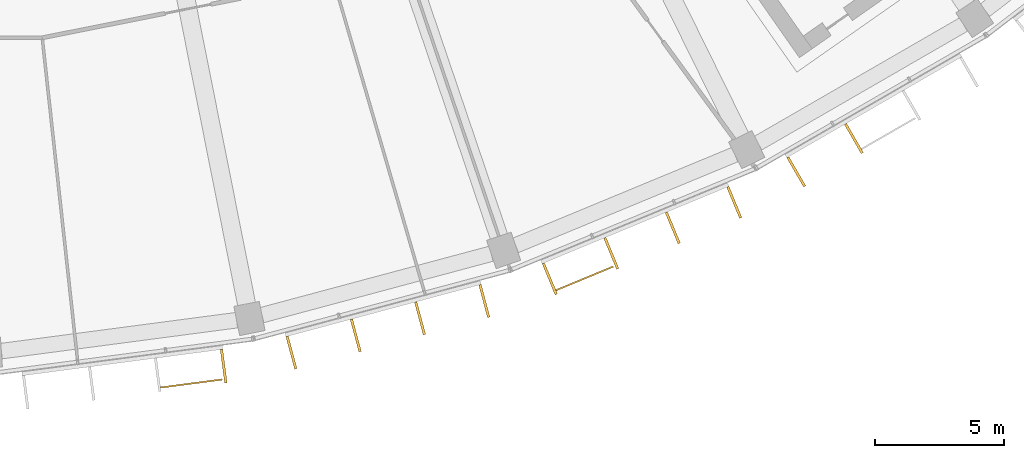
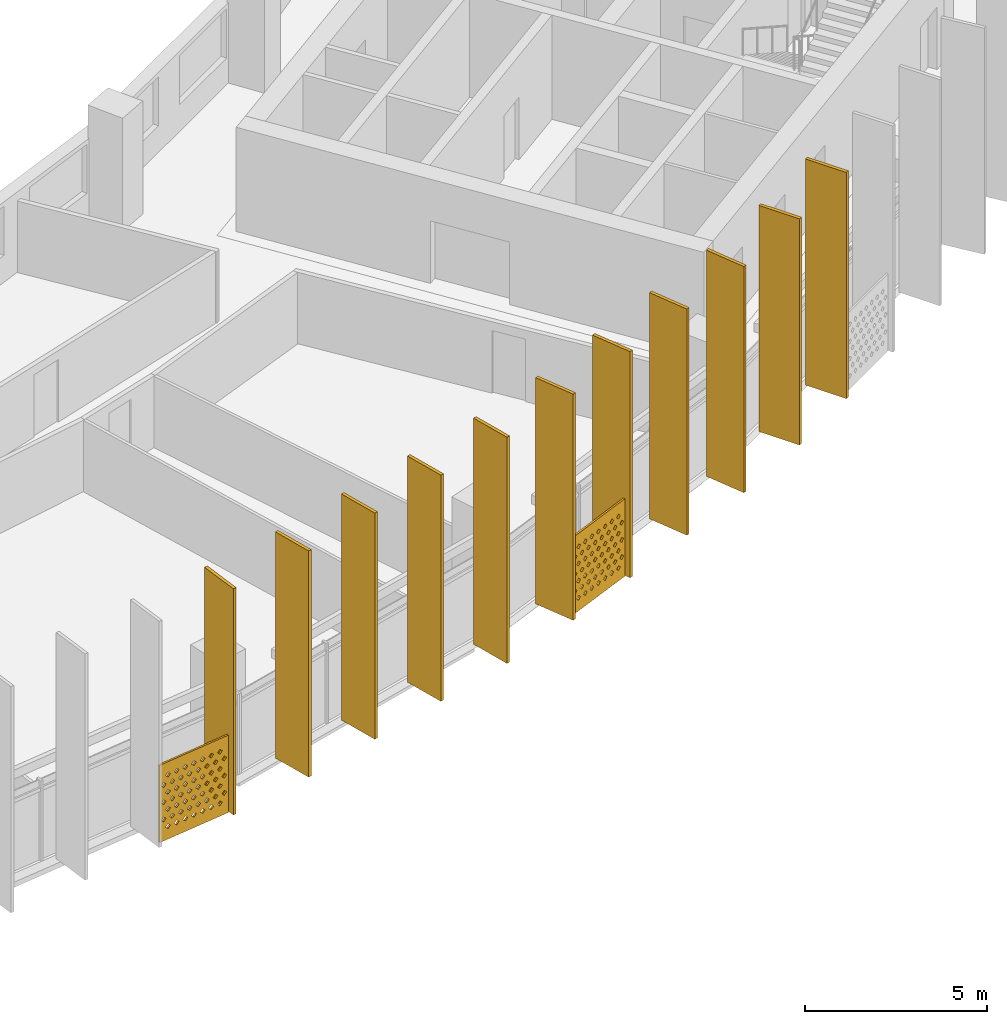
# One storey, part 26 of 28: 13 shading devices.
"""IFC4 building model written with IfcOpenShell, lengths in metres."""

from ifc_helpers import new_model, si_unit, direction, frame, origin, origin_2d, place, context, subcontext, project, spatial, polyline, rectangle, outline, extrude, material, material_profile, profile_set, type_object, element, save


model = new_model("IFC4")

# Units and contexts
model_context = context("Model", 3, precision=1e-05, world=origin(), true_north=direction((0.0, 1.0)))
body_context = subcontext(model_context, "Body", "Model", "MODEL_VIEW")
ifc_project = project(units=[si_unit("LENGTHUNIT", "METRE"), si_unit("AREAUNIT", "SQUARE_METRE"), si_unit("VOLUMEUNIT", "CUBIC_METRE"), si_unit("PLANEANGLEUNIT", "RADIAN"), si_unit("MASSUNIT", "GRAM", prefix="KILO")], contexts=[model_context])

# Site, building, storey
site_placement = place(None, origin())
site = spatial("IfcSite", under=ifc_project, at=site_placement, CompositionType="ELEMENT")
building_placement = place(site_placement, origin())
building = spatial("IfcBuilding", under=site, at=building_placement, Name="Qamariyya Broadcast Tower", CompositionType="ELEMENT")
storey_placement = place(building_placement, frame((0.0, 0.0, 241.699951171875)))
storey = spatial("IfcBuildingStorey", under=building, at=storey_placement, Name="L58", CompositionType="ELEMENT", Elevation=241.699951171875)

# Shading devices
ifc_material_1 = material(Name="Perforated glazed terracotta", Category="masonry")
ifc_material_profile_1 = material_profile(ifc_material_1, outline(polyline([(-1.199951171875, -1.300048828125), (1.199951171875, -1.300048828125), (1.199951171875, 1.300048828125), (-1.199951171875, 1.300048828125), (-1.199951171875, -1.300048828125)]), holes=[polyline([(-0.81494140625, -0.86669921875), (-0.89990234375, -0.78173828125), (-0.985107421875, -0.86669921875), (-0.89990234375, -0.95166015625), (-0.81494140625, -0.86669921875)]), polyline([(-0.514892578125, -0.86669921875), (-0.60009765625, -0.78173828125), (-0.68505859375, -0.86669921875), (-0.60009765625, -0.95166015625), (-0.514892578125, -0.86669921875)]), polyline([(-0.215087890625, -0.86669921875), (-0.300048828125, -0.78173828125), (-0.385009765625, -0.86669921875), (-0.300048828125, -0.95166015625), (-0.215087890625, -0.86669921875)]), polyline([(0.0849609375, -0.86669921875), (0.0, -0.78173828125), (-0.0849609375, -0.86669921875), (0.0, -0.95166015625), (0.0849609375, -0.86669921875)]), polyline([(0.385009765625, -0.86669921875), (0.300048828125, -0.78173828125), (0.215087890625, -0.86669921875), (0.300048828125, -0.95166015625), (0.385009765625, -0.86669921875)]), polyline([(0.68505859375, -0.86669921875), (0.60009765625, -0.78173828125), (0.514892578125, -0.86669921875), (0.60009765625, -0.95166015625), (0.68505859375, -0.86669921875)]), polyline([(0.985107421875, -0.86669921875), (0.89990234375, -0.78173828125), (0.81494140625, -0.86669921875), (0.89990234375, -0.95166015625), (0.985107421875, -0.86669921875)]), polyline([(-0.965087890625, -0.577880859375), (-1.050048828125, -0.49267578125), (-1.135009765625, -0.577880859375), (-1.050048828125, -0.662841796875), (-0.965087890625, -0.577880859375)]), polyline([(-0.6650390625, -0.577880859375), (-0.75, -0.49267578125), (-0.8349609375, -0.577880859375), (-0.75, -0.662841796875), (-0.6650390625, -0.577880859375)]), polyline([(-0.364990234375, -0.577880859375), (-0.449951171875, -0.49267578125), (-0.534912109375, -0.577880859375), (-0.449951171875, -0.662841796875), (-0.364990234375, -0.577880859375)]), polyline([(-0.06494140625, -0.577880859375), (-0.14990234375, -0.49267578125), (-0.235107421875, -0.577880859375), (-0.14990234375, -0.662841796875), (-0.06494140625, -0.577880859375)]), polyline([(0.235107421875, -0.577880859375), (0.14990234375, -0.49267578125), (0.06494140625, -0.577880859375), (0.14990234375, -0.662841796875), (0.235107421875, -0.577880859375)]), polyline([(0.534912109375, -0.577880859375), (0.449951171875, -0.49267578125), (0.364990234375, -0.577880859375), (0.449951171875, -0.662841796875), (0.534912109375, -0.577880859375)]), polyline([(0.8349609375, -0.577880859375), (0.75, -0.49267578125), (0.6650390625, -0.577880859375), (0.75, -0.662841796875), (0.8349609375, -0.577880859375)]), polyline([(1.135009765625, -0.577880859375), (1.050048828125, -0.49267578125), (0.965087890625, -0.577880859375), (1.050048828125, -0.662841796875), (1.135009765625, -0.577880859375)]), polyline([(-0.81494140625, -0.288818359375), (-0.89990234375, -0.203857421875), (-0.985107421875, -0.288818359375), (-0.89990234375, -0.373779296875), (-0.81494140625, -0.288818359375)]), polyline([(-0.514892578125, -0.288818359375), (-0.60009765625, -0.203857421875), (-0.68505859375, -0.288818359375), (-0.60009765625, -0.373779296875), (-0.514892578125, -0.288818359375)]), polyline([(-0.215087890625, -0.288818359375), (-0.300048828125, -0.203857421875), (-0.385009765625, -0.288818359375), (-0.300048828125, -0.373779296875), (-0.215087890625, -0.288818359375)]), polyline([(0.0849609375, -0.288818359375), (0.0, -0.203857421875), (-0.0849609375, -0.288818359375), (0.0, -0.373779296875), (0.0849609375, -0.288818359375)]), polyline([(0.385009765625, -0.288818359375), (0.300048828125, -0.203857421875), (0.215087890625, -0.288818359375), (0.300048828125, -0.373779296875), (0.385009765625, -0.288818359375)]), polyline([(0.68505859375, -0.288818359375), (0.60009765625, -0.203857421875), (0.514892578125, -0.288818359375), (0.60009765625, -0.373779296875), (0.68505859375, -0.288818359375)]), polyline([(0.985107421875, -0.288818359375), (0.89990234375, -0.203857421875), (0.81494140625, -0.288818359375), (0.89990234375, -0.373779296875), (0.985107421875, -0.288818359375)]), polyline([(-0.965087890625, 0.0), (-1.050048828125, 0.0849609375), (-1.135009765625, 0.0), (-1.050048828125, -0.0849609375), (-0.965087890625, 0.0)]), polyline([(-0.6650390625, 0.0), (-0.75, 0.0849609375), (-0.8349609375, 0.0), (-0.75, -0.0849609375), (-0.6650390625, 0.0)]), polyline([(-0.364990234375, 0.0), (-0.449951171875, 0.0849609375), (-0.534912109375, 0.0), (-0.449951171875, -0.0849609375), (-0.364990234375, 0.0)]), polyline([(-0.06494140625, 0.0), (-0.14990234375, 0.0849609375), (-0.235107421875, 0.0), (-0.14990234375, -0.0849609375), (-0.06494140625, 0.0)]), polyline([(0.235107421875, 0.0), (0.14990234375, 0.0849609375), (0.06494140625, 0.0), (0.14990234375, -0.0849609375), (0.235107421875, 0.0)]), polyline([(0.534912109375, 0.0), (0.449951171875, 0.0849609375), (0.364990234375, 0.0), (0.449951171875, -0.0849609375), (0.534912109375, 0.0)]), polyline([(0.8349609375, 0.0), (0.75, 0.0849609375), (0.6650390625, 0.0), (0.75, -0.0849609375), (0.8349609375, 0.0)]), polyline([(1.135009765625, 0.0), (1.050048828125, 0.0849609375), (0.965087890625, 0.0), (1.050048828125, -0.0849609375), (1.135009765625, 0.0)]), polyline([(-0.81494140625, 0.288818359375), (-0.89990234375, 0.373779296875), (-0.985107421875, 0.288818359375), (-0.89990234375, 0.203857421875), (-0.81494140625, 0.288818359375)]), polyline([(-0.514892578125, 0.288818359375), (-0.60009765625, 0.373779296875), (-0.68505859375, 0.288818359375), (-0.60009765625, 0.203857421875), (-0.514892578125, 0.288818359375)]), polyline([(-0.215087890625, 0.288818359375), (-0.300048828125, 0.373779296875), (-0.385009765625, 0.288818359375), (-0.300048828125, 0.203857421875), (-0.215087890625, 0.288818359375)]), polyline([(0.0849609375, 0.288818359375), (0.0, 0.373779296875), (-0.0849609375, 0.288818359375), (0.0, 0.203857421875), (0.0849609375, 0.288818359375)]), polyline([(0.385009765625, 0.288818359375), (0.300048828125, 0.373779296875), (0.215087890625, 0.288818359375), (0.300048828125, 0.203857421875), (0.385009765625, 0.288818359375)]), polyline([(0.68505859375, 0.288818359375), (0.60009765625, 0.373779296875), (0.514892578125, 0.288818359375), (0.60009765625, 0.203857421875), (0.68505859375, 0.288818359375)]), polyline([(0.985107421875, 0.288818359375), (0.89990234375, 0.373779296875), (0.81494140625, 0.288818359375), (0.89990234375, 0.203857421875), (0.985107421875, 0.288818359375)]), polyline([(-0.965087890625, 0.577880859375), (-1.050048828125, 0.662841796875), (-1.135009765625, 0.577880859375), (-1.050048828125, 0.49267578125), (-0.965087890625, 0.577880859375)]), polyline([(-0.6650390625, 0.577880859375), (-0.75, 0.662841796875), (-0.8349609375, 0.577880859375), (-0.75, 0.49267578125), (-0.6650390625, 0.577880859375)]), polyline([(-0.364990234375, 0.577880859375), (-0.449951171875, 0.662841796875), (-0.534912109375, 0.577880859375), (-0.449951171875, 0.49267578125), (-0.364990234375, 0.577880859375)]), polyline([(-0.06494140625, 0.577880859375), (-0.14990234375, 0.662841796875), (-0.235107421875, 0.577880859375), (-0.14990234375, 0.49267578125), (-0.06494140625, 0.577880859375)]), polyline([(0.235107421875, 0.577880859375), (0.14990234375, 0.662841796875), (0.06494140625, 0.577880859375), (0.14990234375, 0.49267578125), (0.235107421875, 0.577880859375)]), polyline([(0.534912109375, 0.577880859375), (0.449951171875, 0.662841796875), (0.364990234375, 0.577880859375), (0.449951171875, 0.49267578125), (0.534912109375, 0.577880859375)]), polyline([(0.8349609375, 0.577880859375), (0.75, 0.662841796875), (0.6650390625, 0.577880859375), (0.75, 0.49267578125), (0.8349609375, 0.577880859375)]), polyline([(1.135009765625, 0.577880859375), (1.050048828125, 0.662841796875), (0.965087890625, 0.577880859375), (1.050048828125, 0.49267578125), (1.135009765625, 0.577880859375)]), polyline([(-0.81494140625, 0.86669921875), (-0.89990234375, 0.95166015625), (-0.985107421875, 0.86669921875), (-0.89990234375, 0.78173828125), (-0.81494140625, 0.86669921875)]), polyline([(-0.514892578125, 0.86669921875), (-0.60009765625, 0.95166015625), (-0.68505859375, 0.86669921875), (-0.60009765625, 0.78173828125), (-0.514892578125, 0.86669921875)]), polyline([(-0.215087890625, 0.86669921875), (-0.300048828125, 0.95166015625), (-0.385009765625, 0.86669921875), (-0.300048828125, 0.78173828125), (-0.215087890625, 0.86669921875)]), polyline([(0.0849609375, 0.86669921875), (0.0, 0.95166015625), (-0.0849609375, 0.86669921875), (0.0, 0.78173828125), (0.0849609375, 0.86669921875)]), polyline([(0.385009765625, 0.86669921875), (0.300048828125, 0.95166015625), (0.215087890625, 0.86669921875), (0.300048828125, 0.78173828125), (0.385009765625, 0.86669921875)]), polyline([(0.68505859375, 0.86669921875), (0.60009765625, 0.95166015625), (0.514892578125, 0.86669921875), (0.60009765625, 0.78173828125), (0.68505859375, 0.86669921875)]), polyline([(0.985107421875, 0.86669921875), (0.89990234375, 0.95166015625), (0.81494140625, 0.86669921875), (0.89990234375, 0.78173828125), (0.985107421875, 0.86669921875)])]))
ifc_profile_set_1 = profile_set([ifc_material_profile_1], Name="Perforated glazed terracotta")
shading_device_type_1 = type_object("IfcShadingDeviceType", Name="Perforated terracotta screen 2400 x 2600", PredefinedType="USERDEFINED", material=ifc_profile_set_1)
shading_device_1_placement = place(storey_placement, frame((12.924072265625, -78.73828125, 1.35009765625), z_axis=(0.1300340368, -0.991509530601, 0.0), x_axis=(0.991509530601, 0.1300340368, 0.0)))
element("IfcShadingDevice", 1, at=shading_device_1_placement, inside=storey, type_object=shading_device_type_1, Name="e-scr-L58-09-2", ObjectType="SCREEN", PredefinedType="USERDEFINED", context=body_context, shape_type="SweptSolid", body=[
    extrude(outline(polyline([(-1.199951171875, -1.300048828125), (1.199951171875, -1.300048828125), (1.199951171875, 1.300048828125), (-1.199951171875, 1.300048828125), (-1.199951171875, -1.300048828125)]), holes=[polyline([(-0.81494140625, -0.86669921875), (-0.89990234375, -0.78173828125), (-0.985107421875, -0.86669921875), (-0.89990234375, -0.95166015625), (-0.81494140625, -0.86669921875)]), polyline([(-0.514892578125, -0.86669921875), (-0.60009765625, -0.78173828125), (-0.68505859375, -0.86669921875), (-0.60009765625, -0.95166015625), (-0.514892578125, -0.86669921875)]), polyline([(-0.215087890625, -0.86669921875), (-0.300048828125, -0.78173828125), (-0.385009765625, -0.86669921875), (-0.300048828125, -0.95166015625), (-0.215087890625, -0.86669921875)]), polyline([(0.0849609375, -0.86669921875), (0.0, -0.78173828125), (-0.0849609375, -0.86669921875), (0.0, -0.95166015625), (0.0849609375, -0.86669921875)]), polyline([(0.385009765625, -0.86669921875), (0.300048828125, -0.78173828125), (0.215087890625, -0.86669921875), (0.300048828125, -0.95166015625), (0.385009765625, -0.86669921875)]), polyline([(0.68505859375, -0.86669921875), (0.60009765625, -0.78173828125), (0.514892578125, -0.86669921875), (0.60009765625, -0.95166015625), (0.68505859375, -0.86669921875)]), polyline([(0.985107421875, -0.86669921875), (0.89990234375, -0.78173828125), (0.81494140625, -0.86669921875), (0.89990234375, -0.95166015625), (0.985107421875, -0.86669921875)]), polyline([(-0.965087890625, -0.577880859375), (-1.050048828125, -0.49267578125), (-1.135009765625, -0.577880859375), (-1.050048828125, -0.662841796875), (-0.965087890625, -0.577880859375)]), polyline([(-0.6650390625, -0.577880859375), (-0.75, -0.49267578125), (-0.8349609375, -0.577880859375), (-0.75, -0.662841796875), (-0.6650390625, -0.577880859375)]), polyline([(-0.364990234375, -0.577880859375), (-0.449951171875, -0.49267578125), (-0.534912109375, -0.577880859375), (-0.449951171875, -0.662841796875), (-0.364990234375, -0.577880859375)]), polyline([(-0.06494140625, -0.577880859375), (-0.14990234375, -0.49267578125), (-0.235107421875, -0.577880859375), (-0.14990234375, -0.662841796875), (-0.06494140625, -0.577880859375)]), polyline([(0.235107421875, -0.577880859375), (0.14990234375, -0.49267578125), (0.06494140625, -0.577880859375), (0.14990234375, -0.662841796875), (0.235107421875, -0.577880859375)]), polyline([(0.534912109375, -0.577880859375), (0.449951171875, -0.49267578125), (0.364990234375, -0.577880859375), (0.449951171875, -0.662841796875), (0.534912109375, -0.577880859375)]), polyline([(0.8349609375, -0.577880859375), (0.75, -0.49267578125), (0.6650390625, -0.577880859375), (0.75, -0.662841796875), (0.8349609375, -0.577880859375)]), polyline([(1.135009765625, -0.577880859375), (1.050048828125, -0.49267578125), (0.965087890625, -0.577880859375), (1.050048828125, -0.662841796875), (1.135009765625, -0.577880859375)]), polyline([(-0.81494140625, -0.288818359375), (-0.89990234375, -0.203857421875), (-0.985107421875, -0.288818359375), (-0.89990234375, -0.373779296875), (-0.81494140625, -0.288818359375)]), polyline([(-0.514892578125, -0.288818359375), (-0.60009765625, -0.203857421875), (-0.68505859375, -0.288818359375), (-0.60009765625, -0.373779296875), (-0.514892578125, -0.288818359375)]), polyline([(-0.215087890625, -0.288818359375), (-0.300048828125, -0.203857421875), (-0.385009765625, -0.288818359375), (-0.300048828125, -0.373779296875), (-0.215087890625, -0.288818359375)]), polyline([(0.0849609375, -0.288818359375), (0.0, -0.203857421875), (-0.0849609375, -0.288818359375), (0.0, -0.373779296875), (0.0849609375, -0.288818359375)]), polyline([(0.385009765625, -0.288818359375), (0.300048828125, -0.203857421875), (0.215087890625, -0.288818359375), (0.300048828125, -0.373779296875), (0.385009765625, -0.288818359375)]), polyline([(0.68505859375, -0.288818359375), (0.60009765625, -0.203857421875), (0.514892578125, -0.288818359375), (0.60009765625, -0.373779296875), (0.68505859375, -0.288818359375)]), polyline([(0.985107421875, -0.288818359375), (0.89990234375, -0.203857421875), (0.81494140625, -0.288818359375), (0.89990234375, -0.373779296875), (0.985107421875, -0.288818359375)]), polyline([(-0.965087890625, 0.0), (-1.050048828125, 0.0849609375), (-1.135009765625, 0.0), (-1.050048828125, -0.0849609375), (-0.965087890625, 0.0)]), polyline([(-0.6650390625, 0.0), (-0.75, 0.0849609375), (-0.8349609375, 0.0), (-0.75, -0.0849609375), (-0.6650390625, 0.0)]), polyline([(-0.364990234375, 0.0), (-0.449951171875, 0.0849609375), (-0.534912109375, 0.0), (-0.449951171875, -0.0849609375), (-0.364990234375, 0.0)]), polyline([(-0.06494140625, 0.0), (-0.14990234375, 0.0849609375), (-0.235107421875, 0.0), (-0.14990234375, -0.0849609375), (-0.06494140625, 0.0)]), polyline([(0.235107421875, 0.0), (0.14990234375, 0.0849609375), (0.06494140625, 0.0), (0.14990234375, -0.0849609375), (0.235107421875, 0.0)]), polyline([(0.534912109375, 0.0), (0.449951171875, 0.0849609375), (0.364990234375, 0.0), (0.449951171875, -0.0849609375), (0.534912109375, 0.0)]), polyline([(0.8349609375, 0.0), (0.75, 0.0849609375), (0.6650390625, 0.0), (0.75, -0.0849609375), (0.8349609375, 0.0)]), polyline([(1.135009765625, 0.0), (1.050048828125, 0.0849609375), (0.965087890625, 0.0), (1.050048828125, -0.0849609375), (1.135009765625, 0.0)]), polyline([(-0.81494140625, 0.288818359375), (-0.89990234375, 0.373779296875), (-0.985107421875, 0.288818359375), (-0.89990234375, 0.203857421875), (-0.81494140625, 0.288818359375)]), polyline([(-0.514892578125, 0.288818359375), (-0.60009765625, 0.373779296875), (-0.68505859375, 0.288818359375), (-0.60009765625, 0.203857421875), (-0.514892578125, 0.288818359375)]), polyline([(-0.215087890625, 0.288818359375), (-0.300048828125, 0.373779296875), (-0.385009765625, 0.288818359375), (-0.300048828125, 0.203857421875), (-0.215087890625, 0.288818359375)]), polyline([(0.0849609375, 0.288818359375), (0.0, 0.373779296875), (-0.0849609375, 0.288818359375), (0.0, 0.203857421875), (0.0849609375, 0.288818359375)]), polyline([(0.385009765625, 0.288818359375), (0.300048828125, 0.373779296875), (0.215087890625, 0.288818359375), (0.300048828125, 0.203857421875), (0.385009765625, 0.288818359375)]), polyline([(0.68505859375, 0.288818359375), (0.60009765625, 0.373779296875), (0.514892578125, 0.288818359375), (0.60009765625, 0.203857421875), (0.68505859375, 0.288818359375)]), polyline([(0.985107421875, 0.288818359375), (0.89990234375, 0.373779296875), (0.81494140625, 0.288818359375), (0.89990234375, 0.203857421875), (0.985107421875, 0.288818359375)]), polyline([(-0.965087890625, 0.577880859375), (-1.050048828125, 0.662841796875), (-1.135009765625, 0.577880859375), (-1.050048828125, 0.49267578125), (-0.965087890625, 0.577880859375)]), polyline([(-0.6650390625, 0.577880859375), (-0.75, 0.662841796875), (-0.8349609375, 0.577880859375), (-0.75, 0.49267578125), (-0.6650390625, 0.577880859375)]), polyline([(-0.364990234375, 0.577880859375), (-0.449951171875, 0.662841796875), (-0.534912109375, 0.577880859375), (-0.449951171875, 0.49267578125), (-0.364990234375, 0.577880859375)]), polyline([(-0.06494140625, 0.577880859375), (-0.14990234375, 0.662841796875), (-0.235107421875, 0.577880859375), (-0.14990234375, 0.49267578125), (-0.06494140625, 0.577880859375)]), polyline([(0.235107421875, 0.577880859375), (0.14990234375, 0.662841796875), (0.06494140625, 0.577880859375), (0.14990234375, 0.49267578125), (0.235107421875, 0.577880859375)]), polyline([(0.534912109375, 0.577880859375), (0.449951171875, 0.662841796875), (0.364990234375, 0.577880859375), (0.449951171875, 0.49267578125), (0.534912109375, 0.577880859375)]), polyline([(0.8349609375, 0.577880859375), (0.75, 0.662841796875), (0.6650390625, 0.577880859375), (0.75, 0.49267578125), (0.8349609375, 0.577880859375)]), polyline([(1.135009765625, 0.577880859375), (1.050048828125, 0.662841796875), (0.965087890625, 0.577880859375), (1.050048828125, 0.49267578125), (1.135009765625, 0.577880859375)]), polyline([(-0.81494140625, 0.86669921875), (-0.89990234375, 0.95166015625), (-0.985107421875, 0.86669921875), (-0.89990234375, 0.78173828125), (-0.81494140625, 0.86669921875)]), polyline([(-0.514892578125, 0.86669921875), (-0.60009765625, 0.95166015625), (-0.68505859375, 0.86669921875), (-0.60009765625, 0.78173828125), (-0.514892578125, 0.86669921875)]), polyline([(-0.215087890625, 0.86669921875), (-0.300048828125, 0.95166015625), (-0.385009765625, 0.86669921875), (-0.300048828125, 0.78173828125), (-0.215087890625, 0.86669921875)]), polyline([(0.0849609375, 0.86669921875), (0.0, 0.95166015625), (-0.0849609375, 0.86669921875), (0.0, 0.78173828125), (0.0849609375, 0.86669921875)]), polyline([(0.385009765625, 0.86669921875), (0.300048828125, 0.95166015625), (0.215087890625, 0.86669921875), (0.300048828125, 0.78173828125), (0.385009765625, 0.86669921875)]), polyline([(0.68505859375, 0.86669921875), (0.60009765625, 0.95166015625), (0.514892578125, 0.86669921875), (0.60009765625, 0.78173828125), (0.68505859375, 0.86669921875)]), polyline([(0.985107421875, 0.86669921875), (0.89990234375, 0.95166015625), (0.81494140625, 0.86669921875), (0.89990234375, 0.78173828125), (0.985107421875, 0.86669921875)])]), origin(), (0.0, 0.0, 1.0), 0.06005859375),
])
shading_device_2_placement = place(storey_placement, frame((28.110107421875, -74.678955078125, 1.35009765625), z_axis=(0.382591441855, -0.923917630863, 0.0), x_axis=(0.923917630863, 0.382591441855, 0.0)))
element("IfcShadingDevice", 2, at=shading_device_2_placement, inside=storey, type_object=shading_device_type_1, Name="e-scr-L58-11-0", ObjectType="SCREEN", PredefinedType="USERDEFINED", context=body_context, shape_type="SweptSolid", body=[
    extrude(outline(polyline([(-1.199951171875, -1.300048828125), (1.199951171875, -1.300048828125), (1.199951171875, 1.300048828125), (-1.199951171875, 1.300048828125), (-1.199951171875, -1.300048828125)]), holes=[polyline([(-0.81494140625, -0.86669921875), (-0.89990234375, -0.78173828125), (-0.985107421875, -0.86669921875), (-0.89990234375, -0.95166015625), (-0.81494140625, -0.86669921875)]), polyline([(-0.514892578125, -0.86669921875), (-0.60009765625, -0.78173828125), (-0.68505859375, -0.86669921875), (-0.60009765625, -0.95166015625), (-0.514892578125, -0.86669921875)]), polyline([(-0.215087890625, -0.86669921875), (-0.300048828125, -0.78173828125), (-0.385009765625, -0.86669921875), (-0.300048828125, -0.95166015625), (-0.215087890625, -0.86669921875)]), polyline([(0.0849609375, -0.86669921875), (0.0, -0.78173828125), (-0.0849609375, -0.86669921875), (0.0, -0.95166015625), (0.0849609375, -0.86669921875)]), polyline([(0.385009765625, -0.86669921875), (0.300048828125, -0.78173828125), (0.215087890625, -0.86669921875), (0.300048828125, -0.95166015625), (0.385009765625, -0.86669921875)]), polyline([(0.68505859375, -0.86669921875), (0.60009765625, -0.78173828125), (0.514892578125, -0.86669921875), (0.60009765625, -0.95166015625), (0.68505859375, -0.86669921875)]), polyline([(0.985107421875, -0.86669921875), (0.89990234375, -0.78173828125), (0.81494140625, -0.86669921875), (0.89990234375, -0.95166015625), (0.985107421875, -0.86669921875)]), polyline([(-0.965087890625, -0.577880859375), (-1.050048828125, -0.49267578125), (-1.135009765625, -0.577880859375), (-1.050048828125, -0.662841796875), (-0.965087890625, -0.577880859375)]), polyline([(-0.6650390625, -0.577880859375), (-0.75, -0.49267578125), (-0.8349609375, -0.577880859375), (-0.75, -0.662841796875), (-0.6650390625, -0.577880859375)]), polyline([(-0.364990234375, -0.577880859375), (-0.449951171875, -0.49267578125), (-0.534912109375, -0.577880859375), (-0.449951171875, -0.662841796875), (-0.364990234375, -0.577880859375)]), polyline([(-0.06494140625, -0.577880859375), (-0.14990234375, -0.49267578125), (-0.235107421875, -0.577880859375), (-0.14990234375, -0.662841796875), (-0.06494140625, -0.577880859375)]), polyline([(0.235107421875, -0.577880859375), (0.14990234375, -0.49267578125), (0.06494140625, -0.577880859375), (0.14990234375, -0.662841796875), (0.235107421875, -0.577880859375)]), polyline([(0.534912109375, -0.577880859375), (0.449951171875, -0.49267578125), (0.364990234375, -0.577880859375), (0.449951171875, -0.662841796875), (0.534912109375, -0.577880859375)]), polyline([(0.8349609375, -0.577880859375), (0.75, -0.49267578125), (0.6650390625, -0.577880859375), (0.75, -0.662841796875), (0.8349609375, -0.577880859375)]), polyline([(1.135009765625, -0.577880859375), (1.050048828125, -0.49267578125), (0.965087890625, -0.577880859375), (1.050048828125, -0.662841796875), (1.135009765625, -0.577880859375)]), polyline([(-0.81494140625, -0.288818359375), (-0.89990234375, -0.203857421875), (-0.985107421875, -0.288818359375), (-0.89990234375, -0.373779296875), (-0.81494140625, -0.288818359375)]), polyline([(-0.514892578125, -0.288818359375), (-0.60009765625, -0.203857421875), (-0.68505859375, -0.288818359375), (-0.60009765625, -0.373779296875), (-0.514892578125, -0.288818359375)]), polyline([(-0.215087890625, -0.288818359375), (-0.300048828125, -0.203857421875), (-0.385009765625, -0.288818359375), (-0.300048828125, -0.373779296875), (-0.215087890625, -0.288818359375)]), polyline([(0.0849609375, -0.288818359375), (0.0, -0.203857421875), (-0.0849609375, -0.288818359375), (0.0, -0.373779296875), (0.0849609375, -0.288818359375)]), polyline([(0.385009765625, -0.288818359375), (0.300048828125, -0.203857421875), (0.215087890625, -0.288818359375), (0.300048828125, -0.373779296875), (0.385009765625, -0.288818359375)]), polyline([(0.68505859375, -0.288818359375), (0.60009765625, -0.203857421875), (0.514892578125, -0.288818359375), (0.60009765625, -0.373779296875), (0.68505859375, -0.288818359375)]), polyline([(0.985107421875, -0.288818359375), (0.89990234375, -0.203857421875), (0.81494140625, -0.288818359375), (0.89990234375, -0.373779296875), (0.985107421875, -0.288818359375)]), polyline([(-0.965087890625, 0.0), (-1.050048828125, 0.0849609375), (-1.135009765625, 0.0), (-1.050048828125, -0.0849609375), (-0.965087890625, 0.0)]), polyline([(-0.6650390625, 0.0), (-0.75, 0.0849609375), (-0.8349609375, 0.0), (-0.75, -0.0849609375), (-0.6650390625, 0.0)]), polyline([(-0.364990234375, 0.0), (-0.449951171875, 0.0849609375), (-0.534912109375, 0.0), (-0.449951171875, -0.0849609375), (-0.364990234375, 0.0)]), polyline([(-0.06494140625, 0.0), (-0.14990234375, 0.0849609375), (-0.235107421875, 0.0), (-0.14990234375, -0.0849609375), (-0.06494140625, 0.0)]), polyline([(0.235107421875, 0.0), (0.14990234375, 0.0849609375), (0.06494140625, 0.0), (0.14990234375, -0.0849609375), (0.235107421875, 0.0)]), polyline([(0.534912109375, 0.0), (0.449951171875, 0.0849609375), (0.364990234375, 0.0), (0.449951171875, -0.0849609375), (0.534912109375, 0.0)]), polyline([(0.8349609375, 0.0), (0.75, 0.0849609375), (0.6650390625, 0.0), (0.75, -0.0849609375), (0.8349609375, 0.0)]), polyline([(1.135009765625, 0.0), (1.050048828125, 0.0849609375), (0.965087890625, 0.0), (1.050048828125, -0.0849609375), (1.135009765625, 0.0)]), polyline([(-0.81494140625, 0.288818359375), (-0.89990234375, 0.373779296875), (-0.985107421875, 0.288818359375), (-0.89990234375, 0.203857421875), (-0.81494140625, 0.288818359375)]), polyline([(-0.514892578125, 0.288818359375), (-0.60009765625, 0.373779296875), (-0.68505859375, 0.288818359375), (-0.60009765625, 0.203857421875), (-0.514892578125, 0.288818359375)]), polyline([(-0.215087890625, 0.288818359375), (-0.300048828125, 0.373779296875), (-0.385009765625, 0.288818359375), (-0.300048828125, 0.203857421875), (-0.215087890625, 0.288818359375)]), polyline([(0.0849609375, 0.288818359375), (0.0, 0.373779296875), (-0.0849609375, 0.288818359375), (0.0, 0.203857421875), (0.0849609375, 0.288818359375)]), polyline([(0.385009765625, 0.288818359375), (0.300048828125, 0.373779296875), (0.215087890625, 0.288818359375), (0.300048828125, 0.203857421875), (0.385009765625, 0.288818359375)]), polyline([(0.68505859375, 0.288818359375), (0.60009765625, 0.373779296875), (0.514892578125, 0.288818359375), (0.60009765625, 0.203857421875), (0.68505859375, 0.288818359375)]), polyline([(0.985107421875, 0.288818359375), (0.89990234375, 0.373779296875), (0.81494140625, 0.288818359375), (0.89990234375, 0.203857421875), (0.985107421875, 0.288818359375)]), polyline([(-0.965087890625, 0.577880859375), (-1.050048828125, 0.662841796875), (-1.135009765625, 0.577880859375), (-1.050048828125, 0.49267578125), (-0.965087890625, 0.577880859375)]), polyline([(-0.6650390625, 0.577880859375), (-0.75, 0.662841796875), (-0.8349609375, 0.577880859375), (-0.75, 0.49267578125), (-0.6650390625, 0.577880859375)]), polyline([(-0.364990234375, 0.577880859375), (-0.449951171875, 0.662841796875), (-0.534912109375, 0.577880859375), (-0.449951171875, 0.49267578125), (-0.364990234375, 0.577880859375)]), polyline([(-0.06494140625, 0.577880859375), (-0.14990234375, 0.662841796875), (-0.235107421875, 0.577880859375), (-0.14990234375, 0.49267578125), (-0.06494140625, 0.577880859375)]), polyline([(0.235107421875, 0.577880859375), (0.14990234375, 0.662841796875), (0.06494140625, 0.577880859375), (0.14990234375, 0.49267578125), (0.235107421875, 0.577880859375)]), polyline([(0.534912109375, 0.577880859375), (0.449951171875, 0.662841796875), (0.364990234375, 0.577880859375), (0.449951171875, 0.49267578125), (0.534912109375, 0.577880859375)]), polyline([(0.8349609375, 0.577880859375), (0.75, 0.662841796875), (0.6650390625, 0.577880859375), (0.75, 0.49267578125), (0.8349609375, 0.577880859375)]), polyline([(1.135009765625, 0.577880859375), (1.050048828125, 0.662841796875), (0.965087890625, 0.577880859375), (1.050048828125, 0.49267578125), (1.135009765625, 0.577880859375)]), polyline([(-0.81494140625, 0.86669921875), (-0.89990234375, 0.95166015625), (-0.985107421875, 0.86669921875), (-0.89990234375, 0.78173828125), (-0.81494140625, 0.86669921875)]), polyline([(-0.514892578125, 0.86669921875), (-0.60009765625, 0.95166015625), (-0.68505859375, 0.86669921875), (-0.60009765625, 0.78173828125), (-0.514892578125, 0.86669921875)]), polyline([(-0.215087890625, 0.86669921875), (-0.300048828125, 0.95166015625), (-0.385009765625, 0.86669921875), (-0.300048828125, 0.78173828125), (-0.215087890625, 0.86669921875)]), polyline([(0.0849609375, 0.86669921875), (0.0, 0.95166015625), (-0.0849609375, 0.86669921875), (0.0, 0.78173828125), (0.0849609375, 0.86669921875)]), polyline([(0.385009765625, 0.86669921875), (0.300048828125, 0.95166015625), (0.215087890625, 0.86669921875), (0.300048828125, 0.78173828125), (0.385009765625, 0.86669921875)]), polyline([(0.68505859375, 0.86669921875), (0.60009765625, 0.95166015625), (0.514892578125, 0.86669921875), (0.60009765625, 0.78173828125), (0.68505859375, 0.86669921875)]), polyline([(0.985107421875, 0.86669921875), (0.89990234375, 0.95166015625), (0.81494140625, 0.86669921875), (0.89990234375, 0.78173828125), (0.985107421875, 0.86669921875)])]), origin(), (0.0, 0.0, 1.0), 0.06005859375),
])
ifc_material_2 = material(Name="Glazed terracotta", Category="masonry")
ifc_material_profile_2 = material_profile(ifc_material_2, rectangle(XDim=1.300048828125, YDim=0.10009765625, at=origin_2d()))
ifc_profile_set_2 = profile_set([ifc_material_profile_2], Name="Glazed terracotta")
shading_device_type_2 = type_object("IfcShadingDeviceType", Name="Terracotta fin 100 x 1300", PredefinedType="USERDEFINED", material=ifc_profile_set_2)
for number, where, z_axis, x_axis, name in (
    (3, (14.17333984375, -78.099853515625, 0.0), (0.0, 0.0, 1.0), (0.13052619222, -0.991444861374, 0.0), "e-fin-L58-09-3"),
    (4, (16.79296875, -77.57861328125, 0.0), (0.0, 0.0, 1.0), (0.258819045103, -0.965925826289, 0.0), "e-fin-L58-10-0"),
    (5, (19.27734375, -76.9130859375, 0.0), (0.0, 0.0, 1.0), (0.258819045103, -0.965925826289, 0.0), "e-fin-L58-10-1"),
    (6, (21.76171875, -76.247314453125, 0.0), (0.0, 0.0, 1.0), (0.258819045103, -0.965925826289, 0.0), "e-fin-L58-10-2"),
    (7, (24.24609375, -75.58154296875, 0.0), (0.0, 0.0, 1.0), (0.258819045103, -0.965925826289, 0.0), "e-fin-L58-10-3"),
    (8, (26.775390625, -74.72314453125, 0.0), (0.0, 0.0, 1.0), (0.382683432365, -0.923879532511, 0.0), "e-fin-L58-11-0"),
    (9, (29.151611328125, -73.73876953125, 0.0), (0.0, 0.0, 1.0), (0.382683432365, -0.923879532511, 0.0), "e-fin-L58-11-1"),
    (10, (31.52783203125, -72.754638671875, 0.0), (0.0, 0.0, 1.0), (0.382683432365, -0.923879532511, 0.0), "e-fin-L58-11-2"),
    (11, (33.904052734375, -71.770263671875, 0.0), (0.0, 0.0, 1.0), (0.382683432365, -0.923879532511, 0.0), "e-fin-L58-11-3"),
    (12, (36.2998046875, -70.5888671875, 0.0), (0.0, 0.0, 1.0), (0.5, -0.866025403784, 0.0), "e-fin-L58-12-0"),
    (13, (38.527099609375, -69.302978515625, 0.0), (0.0, 0.0, 1.0), (0.5, -0.866025403784, 0.0), "e-fin-L58-12-1"),
):
    element("IfcShadingDevice", number, at=place(storey_placement, frame(where, z_axis=z_axis, x_axis=x_axis)), inside=storey, type_object=shading_device_type_2, Name=name, ObjectType="FIN", PredefinedType="USERDEFINED", context=body_context, shape_type="SweptSolid", body=[
        extrude(rectangle(XDim=1.300048828125, YDim=0.10009765625, at=origin_2d()), origin(), (0.0, 0.0, 1.0), 7.60009765625),
    ])

save(model, "model.ifc")
